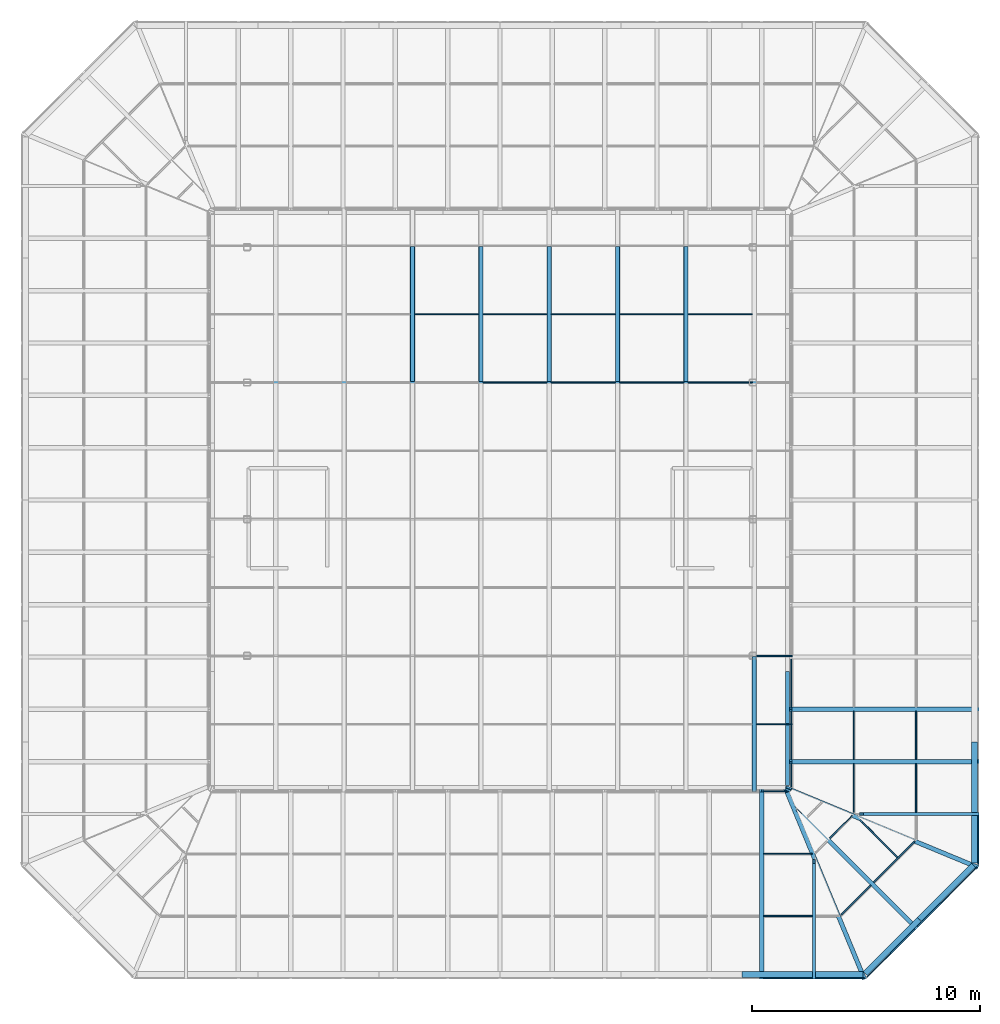
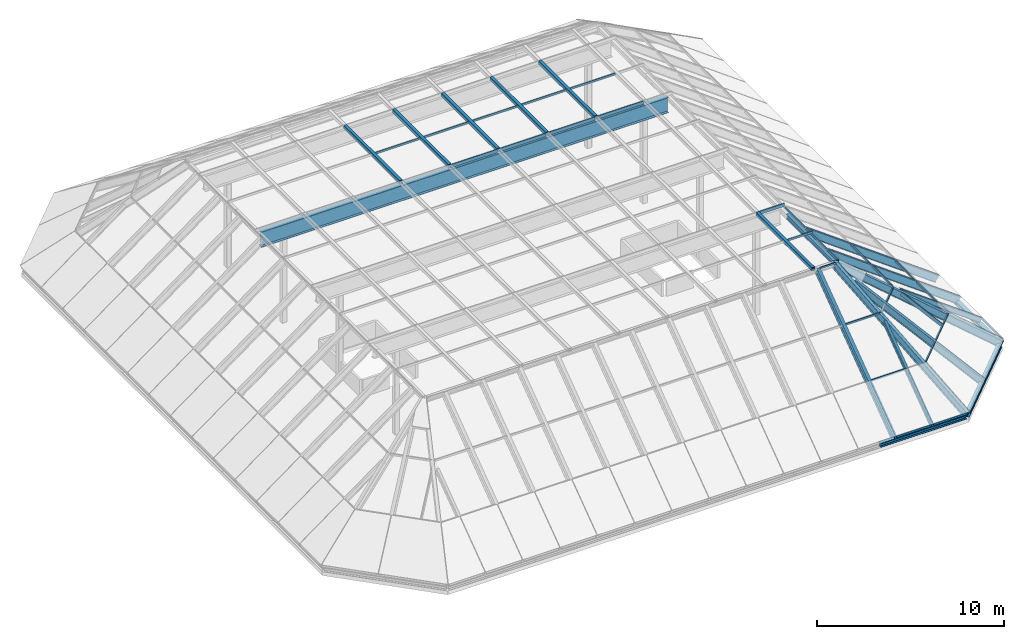
# One storey, part 6 of 15: 56 members, 4 elements without a shape of their own.
"""IFC4 building model written with IfcOpenShell, lengths in metres."""

import ifcopenshell
import ifcopenshell.guid

model = None  # the IFC model being written
_history = None  # IfcOwnerHistory: only IFC2X3 demands one
_inside = {}  # id of a spatial element -> (the spatial element, [elements in it])
_under = {}  # id of a project, library or spatial element -> (it, [spatial elements below it])
_declared = {}  # id of a project -> (the project, [libraries it declares])
_typed = {}  # id of a type object -> (the type object, [elements of that type])
_made_of = {}  # id of a material, layer set ... -> (it, [elements and type objects made of it])


def new_model(schema):
    """Start an empty IFC model of exactly this schema.

    Asked for "IFC4X3", IfcOpenShell would pick the latest addendum, in which some entities
    have other attributes; the version numbers below select the first issue.
    IFC2X3 requires an IfcOwnerHistory on every rooted entity: one is made here for all.
    """
    global model, _history
    if schema == "IFC4X3":
        model = ifcopenshell.file(schema_version=(4, 3, 0, 0))
    else:
        model = ifcopenshell.file(schema=schema)
    _inside.clear()
    _under.clear()
    _declared.clear()
    _typed.clear()
    _made_of.clear()
    _history = None
    if model.schema == "IFC2X3":
        org = make("IfcOrganization", Name="unknown")
        user = make(
            "IfcPersonAndOrganization",
            ThePerson=make("IfcPerson", FamilyName="unknown"),
            TheOrganization=org,
        )
        app = make(
            "IfcApplication",
            ApplicationDeveloper=org,
            Version="unknown",
            ApplicationFullName="unknown",
            ApplicationIdentifier="unknown",
        )
        _history = make(
            "IfcOwnerHistory",
            OwningUser=user,
            OwningApplication=app,
            ChangeAction="ADDED",
            CreationDate=0,
        )
    return model


def make(cls, **values):
    """One entity of the class cls with the attributes given. An attribute that is None is left unset."""
    return model.create_entity(
        cls, **{name: value for name, value in values.items() if value is not None}
    )


def rooted(cls, **values):
    """An entity with a GlobalId (a new one), such as an element, a storey or a relation."""
    return make(cls, GlobalId=ifcopenshell.guid.new(), OwnerHistory=_history, **values)


def si_unit(unit_type, name, prefix=None):
    """IfcSIUnit, for example si_unit("LENGTHUNIT", "METRE", prefix="MILLI")."""
    return make("IfcSIUnit", UnitType=unit_type, Prefix=prefix, Name=name)


def assignment(units):
    """IfcUnitAssignment: the units of a project."""
    return None if units is None else make("IfcUnitAssignment", Units=units)


def point(xyz):
    """IfcCartesianPoint."""
    return None if xyz is None else make("IfcCartesianPoint", Coordinates=xyz)


def direction(xyz):
    """IfcDirection."""
    return None if xyz is None else make("IfcDirection", DirectionRatios=xyz)


def frame(location, z_axis=None, x_axis=None):
    """IfcAxis2Placement3D, a coordinate frame: its origin and axes. An axis left out is left unset."""
    return make(
        "IfcAxis2Placement3D",
        Location=point(location),
        Axis=direction(z_axis),
        RefDirection=direction(x_axis),
    )


def frame_2d(location, x_axis=None):
    """IfcAxis2Placement2D, a coordinate frame in the plane: its origin and x axis."""
    return make(
        "IfcAxis2Placement2D", Location=point(location), RefDirection=direction(x_axis)
    )


def origin():
    """The frame at (0, 0, 0) with its axes left unset."""
    return frame((0.0, 0.0, 0.0))


def origin_2d():
    """The frame at (0, 0) in the plane with its x axis left unset."""
    return frame_2d((0.0, 0.0))


def place(relative_to, where):
    """IfcLocalPlacement: puts the frame where relative to a parent placement (None: the world)."""
    return make(
        "IfcLocalPlacement", PlacementRelTo=relative_to, RelativePlacement=where
    )


def context(
    kind, dimensions, precision=None, world=None, true_north=None, identifier=None
):
    """IfcGeometricRepresentationContext, for example the 3D "Model" context."""
    return make(
        "IfcGeometricRepresentationContext",
        ContextIdentifier=identifier,
        ContextType=kind,
        CoordinateSpaceDimension=dimensions,
        Precision=precision,
        WorldCoordinateSystem=world,
        TrueNorth=true_north,
    )


def subcontext(parent, identifier, kind, view, scale=None):
    """IfcGeometricRepresentationSubContext, for example "Body" below "Model"."""
    return make(
        "IfcGeometricRepresentationSubContext",
        ContextIdentifier=identifier,
        ContextType=kind,
        ParentContext=parent,
        TargetScale=scale,
        TargetView=view,
    )


def project(units=None, contexts=None):
    """IfcProject with its units and contexts."""
    return rooted(
        "IfcProject",
        Name="project",
        RepresentationContexts=contexts,
        UnitsInContext=assignment(units),
    )


def spatial(cls, under=None, at=None, **own):
    """A site, building, storey or space (cls), placed at a placement, below another one or the project."""
    s = rooted(cls, ObjectPlacement=at, **own)
    if under is not None:
        _under.setdefault(under.id(), (under, []))[1].append(s)
    return s


def profile(cls, at=None, kind="AREA", **sizes):
    """A parametric profile (cls). Its sizes go by their IFC names, for example OverallWidth=200.0."""
    return make(cls, ProfileType=kind, Position=at, **sizes)


def rectangle(**sizes):
    """IfcRectangleProfileDef."""
    return profile("IfcRectangleProfileDef", **sizes)


def hollow_rectangle(**sizes):
    """IfcRectangleHollowProfileDef."""
    return profile("IfcRectangleHollowProfileDef", **sizes)


def i_section(**sizes):
    """IfcIShapeProfileDef."""
    return profile("IfcIShapeProfileDef", **sizes)


def extrude(swept, where, along, depth):
    """IfcExtrudedAreaSolid: the profile swept, set in the frame where, extruded along a direction by depth."""
    return make(
        "IfcExtrudedAreaSolid",
        SweptArea=swept,
        Position=where,
        ExtrudedDirection=direction(along),
        Depth=depth,
    )


def shape(context_of_items, identifier, shape_type, items):
    """IfcShapeRepresentation: the items that make up one representation, for example the "Body"."""
    return make(
        "IfcShapeRepresentation",
        ContextOfItems=context_of_items,
        RepresentationIdentifier=identifier,
        RepresentationType=shape_type,
        Items=items,
    )


def material(Name=None, Category=None):
    """IfcMaterial."""
    return make("IfcMaterial", Name=Name, Category=Category)


def constituent(of_material, Name=None, Category=None, fraction=None):
    """IfcMaterialConstituent: one of the materials an element consists of."""
    return make(
        "IfcMaterialConstituent",
        Name=Name,
        Material=of_material,
        Fraction=fraction,
        Category=Category,
    )


def constituent_set(constituents=None, Name=None):
    """IfcMaterialConstituentSet."""
    return make(
        "IfcMaterialConstituentSet", Name=Name, MaterialConstituents=constituents
    )


def material_profile(
    of_material, cross_section, Name=None, Category=None, Priority=None
):
    """IfcMaterialProfile: a cross section and its material."""
    return make(
        "IfcMaterialProfile",
        Name=Name,
        Material=of_material,
        Profile=cross_section,
        Priority=Priority,
        Category=Category,
    )


def profile_set(profiles, Name=None, composite=None):
    """IfcMaterialProfileSet."""
    return make(
        "IfcMaterialProfileSet",
        Name=Name,
        MaterialProfiles=profiles,
        CompositeProfile=composite,
    )


def made_of(thing, what):
    """Note that an element or type object is made of a material, layer set ...; save() writes the relation."""
    if what is not None:
        _made_of.setdefault(what.id(), (what, []))[1].append(thing)
    return thing


def type_object(cls, material=None, **own):
    """A type object (cls), such as IfcWallType, which elements share."""
    return made_of(rooted(cls, **own), material)


def element(
    cls,
    number,
    at=None,
    inside=None,
    cuts=None,
    type_object=None,
    material=None,
    context=None,
    identifier="Body",
    shape_type=None,
    held_by="IfcProductDefinitionShape",
    body=None,
    shapes=None,
    **own,
):
    """One element of the class cls, such as IfcWall. Its Tag is "e" and its number.

    at: its placement. inside: the storey or other place that contains it. cuts: it is an
    opening in that element (IfcRelVoidsElement). A single representation is given by context,
    identifier, shape_type and body (its items); several are given by shapes. held_by: the class
    of the entity that holds the representations. save() writes the other relations.
    """
    e = rooted(cls, Tag="e%d" % number, ObjectPlacement=at, **own)
    if body is not None:
        shapes = [shape(context, identifier, shape_type, body)]
    if shapes is not None:
        e.Representation = make(held_by, Representations=shapes)
    if inside is not None:
        _inside.setdefault(inside.id(), (inside, []))[1].append(e)
    if cuts is not None:
        rooted(
            "IfcRelVoidsElement", RelatingBuildingElement=cuts, RelatedOpeningElement=e
        )
    if type_object is not None:
        _typed.setdefault(type_object.id(), (type_object, []))[1].append(e)
    return made_of(e, material)


def aggregate(whole, parts):
    """IfcRelAggregates: a whole, such as a stair, and the parts it consists of."""
    return rooted("IfcRelAggregates", RelatingObject=whole, RelatedObjects=parts)


def save(model, path):
    """Write the relations noted so far, then the file.

    IfcRelAggregates (storeys below a building ...), IfcRelContainedInSpatialStructure (elements
    in a storey), IfcRelDefinesByType, IfcRelAssociatesMaterial and IfcRelDeclares: one each for
    every whole, place, type object, material and project.
    """
    for whole, parts in _under.values():
        aggregate(whole, parts)
    for where, things in _inside.values():
        rooted(
            "IfcRelContainedInSpatialStructure",
            RelatedElements=things,
            RelatingStructure=where,
        )
    for kind, things in _typed.values():
        rooted("IfcRelDefinesByType", RelatedObjects=things, RelatingType=kind)
    for what, things in _made_of.values():
        rooted("IfcRelAssociatesMaterial", RelatedObjects=things, RelatingMaterial=what)
    for by, libraries in _declared.values():
        rooted("IfcRelDeclares", RelatingContext=by, RelatedDefinitions=libraries)
    model.write(path)


model = new_model("IFC4")

# Units and contexts
model_context = context("Model", 3, precision=1e-05, world=origin(), true_north=direction((0.0, 1.0)))
body_context = subcontext(model_context, "Body", "Model", "MODEL_VIEW")
ifc_project = project(units=[si_unit("LENGTHUNIT", "METRE"), si_unit("AREAUNIT", "SQUARE_METRE"), si_unit("VOLUMEUNIT", "CUBIC_METRE"), si_unit("PLANEANGLEUNIT", "RADIAN"), si_unit("MASSUNIT", "GRAM", prefix="KILO")], contexts=[model_context])

# Site, building, storey
site_placement = place(None, origin())
site = spatial("IfcSite", under=ifc_project, at=site_placement, CompositionType="ELEMENT")
building_placement = place(site_placement, origin())
building = spatial("IfcBuilding", under=site, at=building_placement, Name="Quoin Convention Tower", CompositionType="ELEMENT")
storey_placement = place(building_placement, frame((0.0, 0.0, 273.699951171875)))
storey = spatial("IfcBuildingStorey", under=building, at=storey_placement, Name="Roof", CompositionType="ELEMENT", Elevation=273.699951171875)

# Member
ifc_material_1 = material(Name="Steel Grade 300", Category="steel")
ifc_material_profile_1 = material_profile(ifc_material_1, i_section(OverallWidth=0.300048828125, OverallDepth=1.0, WebThickness=0.01611328125, FlangeThickness=0.02001953125, at=origin_2d()), Name="1000WB215")
ifc_profile_set_1 = profile_set([ifc_material_profile_1], Name="Steel Grade 300")
member_type_1 = type_object("IfcMemberType", Name="1000WB215 CAP GIRDER", PredefinedType="STRINGER", material=ifc_profile_set_1)
member_1_placement = place(storey_placement, frame((43.7099609375, 65.909912109375, 5.8955078125), z_axis=(1.0, 0.0, 0.0), x_axis=(0.0, 1.0, 0.0)))
element("IfcMember", 1, at=member_1_placement, inside=storey, type_object=member_type_1, Name="LANTERN CAP GIRDER", PredefinedType="STRINGER", context=body_context, shape_type="SweptSolid", body=[
    extrude(i_section(OverallWidth=0.300048828125, OverallDepth=1.0, WebThickness=0.01611328125, FlangeThickness=0.02001953125, at=origin_2d()), origin(), (0.0, 0.0, 1.0), 25.080078125),
])

# Curtain wall, members
ifc_material_2 = material(Name="Aluminium", Category="aluminium")
ifc_constituent_1 = constituent(ifc_material_2, Name="Frame")
ifc_material_3 = material(Name="Insulated glass", Category="glass")
ifc_constituent_2 = constituent(ifc_material_3, Name="Glazing")
ifc_constituent_set = constituent_set(constituents=[ifc_constituent_1, ifc_constituent_2], Name="Aluminium")
curtain_wall_type = type_object("IfcCurtainWallType", Name="Lantern roof system", PredefinedType="NOTDEFINED", material=ifc_constituent_set)
curtain_wall_1_placement = place(storey_placement, origin())
curtain_wall_1 = element("IfcCurtainWall", 2, at=curtain_wall_1_placement, inside=storey, type_object=curtain_wall_type, Name="crn-LNR-CAP", PredefinedType="NOTDEFINED")
ifc_material_4 = material(Name="Steel C450L0", Category="steel")
ifc_material_profile_2 = material_profile(ifc_material_4, hollow_rectangle(XDim=0.199951171875, YDim=0.199951171875, WallThickness=0.010009765625, InnerFilletRadius=0.014892578125, OuterFilletRadius=0.02490234375, at=origin_2d()), Name="200x200x10.0SHS")
ifc_profile_set_2 = profile_set([ifc_material_profile_2], Name="Steel C450L0")
member_type_2 = type_object("IfcMemberType", Name="200x200x10.0SHS LANTERN CAP RAIL", PredefinedType="MULLION", material=ifc_profile_set_2)
member_2_placement = place(storey_placement, frame((52.409912109375, 65.93994140625, 6.495361328125), z_axis=(0.0, 1.0, 0.0), x_axis=(-1.0, 0.0, 0.0)))
member_2 = element("IfcMember", 3, at=member_2_placement, type_object=member_type_2, Name="CW6 cap rail", PredefinedType="MULLION", context=body_context, shape_type="SweptSolid", body=[
    extrude(hollow_rectangle(XDim=0.199951171875, YDim=0.199951171875, WallThickness=0.010009765625, InnerFilletRadius=0.014892578125, OuterFilletRadius=0.02490234375, at=origin_2d()), origin(), (0.0, 0.0, 1.0), 5.93994140625),
])
member_3_placement = place(storey_placement, frame((55.409912109375, 65.93994140625, 6.495361328125), z_axis=(0.0, 1.0, 0.0), x_axis=(-1.0, 0.0, 0.0)))
member_3 = element("IfcMember", 4, at=member_3_placement, type_object=member_type_2, Name="CW6 cap rail", PredefinedType="MULLION", context=body_context, shape_type="SweptSolid", body=[
    extrude(hollow_rectangle(XDim=0.199951171875, YDim=0.199951171875, WallThickness=0.010009765625, InnerFilletRadius=0.014892578125, OuterFilletRadius=0.02490234375, at=origin_2d()), origin(), (0.0, 0.0, 1.0), 5.93994140625),
])
member_4_placement = place(storey_placement, frame((58.409912109375, 65.93994140625, 6.495361328125), z_axis=(0.0, 1.0, 0.0), x_axis=(-1.0, 0.0, 0.0)))
member_4 = element("IfcMember", 5, at=member_4_placement, type_object=member_type_2, Name="CW6 cap rail", PredefinedType="MULLION", context=body_context, shape_type="SweptSolid", body=[
    extrude(hollow_rectangle(XDim=0.199951171875, YDim=0.199951171875, WallThickness=0.010009765625, InnerFilletRadius=0.014892578125, OuterFilletRadius=0.02490234375, at=origin_2d()), origin(), (0.0, 0.0, 1.0), 5.93994140625),
])
member_5_placement = place(storey_placement, frame((61.409912109375, 65.93994140625, 6.495361328125), z_axis=(0.0, 1.0, 0.0), x_axis=(-1.0, 0.0, 0.0)))
member_5 = element("IfcMember", 6, at=member_5_placement, type_object=member_type_2, Name="CW6 cap rail", PredefinedType="MULLION", context=body_context, shape_type="SweptSolid", body=[
    extrude(hollow_rectangle(XDim=0.199951171875, YDim=0.199951171875, WallThickness=0.010009765625, InnerFilletRadius=0.014892578125, OuterFilletRadius=0.02490234375, at=origin_2d()), origin(), (0.0, 0.0, 1.0), 5.93994140625),
])
member_6_placement = place(storey_placement, frame((64.409912109375, 65.93994140625, 6.495361328125), z_axis=(0.0, 1.0, 0.0), x_axis=(-1.0, 0.0, 0.0)))
member_6 = element("IfcMember", 7, at=member_6_placement, type_object=member_type_2, Name="CW6 cap rail", PredefinedType="MULLION", context=body_context, shape_type="SweptSolid", body=[
    extrude(hollow_rectangle(XDim=0.199951171875, YDim=0.199951171875, WallThickness=0.010009765625, InnerFilletRadius=0.014892578125, OuterFilletRadius=0.02490234375, at=origin_2d()), origin(), (0.0, 0.0, 1.0), 5.93994140625),
])
member_7_placement = place(storey_placement, frame((67.409912109375, 47.926513671875, 6.495361328125), z_axis=(0.0, 1.0, 0.0), x_axis=(-1.0, 0.0, 0.0)))
member_7 = element("IfcMember", 8, at=member_7_placement, type_object=member_type_2, Name="CW6 cap rail", PredefinedType="MULLION", context=body_context, shape_type="SweptSolid", body=[
    extrude(hollow_rectangle(XDim=0.199951171875, YDim=0.199951171875, WallThickness=0.010009765625, InnerFilletRadius=0.014892578125, OuterFilletRadius=0.02490234375, at=origin_2d()), origin(), (0.0, 0.0, 1.0), 5.953369140625),
])

# Members
ifc_material_profile_3 = material_profile(ifc_material_1, i_section(OverallWidth=0.256103515625, OverallDepth=0.260009765625, WebThickness=0.010498046875, FlangeThickness=0.017333984375, FilletRadius=0.013916015625, at=origin_2d()), Name="250UC89.5")
ifc_profile_set_3 = profile_set([ifc_material_profile_3], Name="Steel Grade 300")
member_type_3 = type_object("IfcMemberType", Name="250UC89.5 EAVES RING", PredefinedType="CHORD", material=ifc_profile_set_3)
for number, where, z_axis, x_axis, name in (
    (9, (72.2744140625, 39.965576171875, 0.130126953125), (0.707143047722, 0.707070512791, 0.0), (-0.707070512791, 0.707143047722, 0.0), "LANTERN EAVES RING"),
    (10, (74.654541015625, 42.345458984375, 0.130126953125), (0.707070512791, 0.707143047722, 0.0), (-0.707143047722, 0.707070512791, 0.0), "LANTERN EAVES RING"),
):
    element("IfcMember", number, at=place(storey_placement, frame(where, z_axis=z_axis, x_axis=x_axis)), inside=storey, type_object=member_type_3, Name=name, PredefinedType="CHORD", context=body_context, shape_type="SweptSolid", body=[
        extrude(i_section(OverallWidth=0.256103515625, OverallDepth=0.260009765625, WebThickness=0.010498046875, FlangeThickness=0.017333984375, FilletRadius=0.013916015625, at=origin_2d()), origin(), (0.0, 0.0, 1.0), 3.36572265625),
    ])
for number, where, z_axis, x_axis, name in (
    (11, (77.072021484375, 44.816162109375, 0.130126953125), (0.0, 1.0, 0.0), (-1.0, 0.0, 0.0), "LANTERN EAVES RING"),
    (12, (66.87255859375, 39.927978515625, 0.130126953125), (1.0, 0.0, 0.0), (0.0, 1.0, 0.0), "LANTERN EAVES RING"),
):
    element("IfcMember", number, at=place(storey_placement, frame(where, z_axis=z_axis, x_axis=x_axis)), inside=storey, type_object=member_type_3, Name=name, PredefinedType="CHORD", context=body_context, shape_type="SweptSolid", body=[
        extrude(i_section(OverallWidth=0.256103515625, OverallDepth=0.260009765625, WebThickness=0.010498046875, FlangeThickness=0.017333984375, FilletRadius=0.013916015625, at=origin_2d()), origin(), (0.0, 0.0, 1.0), 5.311279296875),
    ])

# Curtain wall, member
curtain_wall_2_placement = place(storey_placement, origin())
curtain_wall_2 = element("IfcCurtainWall", 13, at=curtain_wall_2_placement, inside=storey, type_object=curtain_wall_type, Name="crn-LNR-F77290_44673", PredefinedType="NOTDEFINED")
ifc_material_profile_4 = material_profile(ifc_material_1, i_section(OverallWidth=0.14892578125, OverallDepth=0.298095703125, WebThickness=0.005615234375, FlangeThickness=0.008056640625, FilletRadius=0.012939453125, at=origin_2d()), Name="310UB32.0")
ifc_profile_set_4 = profile_set([ifc_material_profile_4], Name="Steel Grade 300")
member_type_4 = type_object("IfcMemberType", Name="310UB32.0 LANTERN RAFTER", PredefinedType="MULLION", material=ifc_profile_set_4)
member_8_placement = place(storey_placement, frame((77.185546875, 46.969482421875, 0.332763671875), z_axis=(-0.807036644886, 0.0, 0.590501358009), x_axis=(0.0, -1.0, 0.0)))
member_8 = element("IfcMember", 14, at=member_8_placement, type_object=member_type_4, Name="CW6 steel rafter", PredefinedType="MULLION", context=body_context, shape_type="SweptSolid", body=[
    extrude(i_section(OverallWidth=0.14892578125, OverallDepth=0.298095703125, WebThickness=0.005615234375, FlangeThickness=0.008056640625, FilletRadius=0.012939453125, at=origin_2d()), origin(), (0.0, 0.0, 1.0), 6.286865234375),
])

curtain_wall_3_placement = place(storey_placement, origin())
curtain_wall_3 = element("IfcCurtainWall", 15, at=curtain_wall_3_placement, inside=storey, type_object=curtain_wall_type, Name="crn-LNR-F40173_39710", PredefinedType="NOTDEFINED")
member_9_placement = place(storey_placement, frame((70.030517578125, 39.814453125, 0.332763671875), z_axis=(0.0, 0.807036644886, 0.590501358009), x_axis=(-1.0, 0.0, 0.0)))
member_9 = element("IfcMember", 16, at=member_9_placement, type_object=member_type_4, Name="CW6 steel rafter", PredefinedType="MULLION", context=body_context, shape_type="SweptSolid", body=[
    extrude(i_section(OverallWidth=0.14892578125, OverallDepth=0.298095703125, WebThickness=0.005615234375, FlangeThickness=0.008056640625, FilletRadius=0.012939453125, at=origin_2d()), origin(), (0.0, 0.0, 1.0), 6.286865234375),
])

# Members
ifc_material_profile_5 = material_profile(ifc_material_1, i_section(OverallWidth=0.166015625, OverallDepth=0.306884765625, WebThickness=0.006591796875, FlangeThickness=0.01171875, FilletRadius=0.011474609375, at=origin_2d()), Name="310UB46.2")
ifc_profile_set_5 = profile_set([ifc_material_profile_5], Name="Steel Grade 300")
member_type_5 = type_object("IfcMemberType", Name="310UB46.2 COMPRESSION RING", PredefinedType="CHORD", material=ifc_profile_set_5)
member_10_placement = place(storey_placement, frame((68.873046875, 48.2099609375, 6.241943359375), z_axis=(0.0, 1.0, 0.0), x_axis=(-1.0, 0.0, 0.0)))
element("IfcMember", 17, at=member_10_placement, inside=storey, type_object=member_type_5, Name="LANTERN COMPRESSION RING", PredefinedType="CHORD", context=body_context, shape_type="SweptSolid", body=[
    extrude(i_section(OverallWidth=0.166015625, OverallDepth=0.306884765625, WebThickness=0.006591796875, FlangeThickness=0.01171875, FilletRadius=0.011474609375, at=origin_2d()), origin(), (0.0, 0.0, 1.0), 5.01611328125),
])
ifc_material_profile_6 = material_profile(ifc_material_1, i_section(OverallWidth=0.18994140625, OverallDepth=0.4541015625, WebThickness=0.008544921875, FlangeThickness=0.0126953125, FilletRadius=0.011474609375, at=origin_2d()), Name="460UB67.1")
ifc_profile_set_6 = profile_set([ifc_material_profile_6], Name="Steel Grade 300")
member_type_6 = type_object("IfcMemberType", Name="460UB67.1 LANTERN HIP RAFTER", PredefinedType="RAFTER", material=ifc_profile_set_6)
for number, where, z_axis, x_axis, name in (
    (18, (72.199951171875, 39.83740234375, 0.229248046875), (-0.317054171085, 0.765391967529, 0.560046237949), (-0.923871663902, -0.382702428316, 0.0), "CW6 steel hip rafter"),
    (19, (77.10986328125, 44.6728515625, 0.229248046875), (-0.765397497452, 0.317033673283, 0.560050284259), (-0.382678949804, -0.923881389236, 0.0), "CW6 steel hip rafter"),
):
    element("IfcMember", number, at=place(storey_placement, frame(where, z_axis=z_axis, x_axis=x_axis)), inside=storey, type_object=member_type_6, Name=name, PredefinedType="RAFTER", context=body_context, shape_type="SweptSolid", body=[
        extrude(i_section(OverallWidth=0.18994140625, OverallDepth=0.4541015625, WebThickness=0.008544921875, FlangeThickness=0.0126953125, FilletRadius=0.011474609375, at=origin_2d()), origin(), (0.0, 0.0, 1.0), 10.71337890625),
    ])

# Curtain wall, member
curtain_wall_4_placement = place(storey_placement, origin())
curtain_wall_4 = element("IfcCurtainWall", 20, at=curtain_wall_4_placement, inside=storey, type_object=curtain_wall_type, Name="crn-LNR-F72327_39710", PredefinedType="NOTDEFINED")
ifc_material_profile_7 = material_profile(ifc_material_1, i_section(OverallWidth=0.18994140625, OverallDepth=0.4541015625, WebThickness=0.008544921875, FlangeThickness=0.0126953125, FilletRadius=0.011474609375, at=origin_2d()), Name="460UB67.1")
ifc_profile_set_7 = profile_set([ifc_material_profile_7], Name="Steel Grade 300")
member_type_7 = type_object("IfcMemberType", Name="460UB67.1 LANTERN RAFTER", PredefinedType="MULLION", material=ifc_profile_set_7)
member_11_placement = place(storey_placement, frame((74.447998046875, 42.0439453125, 0.26953125), z_axis=(-0.570654798097, 0.570654798097, 0.590513507735), x_axis=(-0.707106781187, -0.707106781187, 0.0)))
member_11 = element("IfcMember", 21, at=member_11_placement, type_object=member_type_7, Name="CW6 steel rafter", PredefinedType="MULLION", context=body_context, shape_type="SweptSolid", body=[
    extrude(i_section(OverallWidth=0.18994140625, OverallDepth=0.4541015625, WebThickness=0.008544921875, FlangeThickness=0.0126953125, FilletRadius=0.011474609375, at=origin_2d()), origin(), (0.0, 0.0, 1.0), 8.83935546875),
])

# Member
member_12_placement = place(storey_placement, frame((77.139404296875, 49.266357421875, 0.26953125), z_axis=(-0.807028649932, 0.0, 0.590512284537), x_axis=(0.0, -1.0, 0.0)))
member_12 = element("IfcMember", 22, at=member_12_placement, type_object=member_type_7, Name="CW6 steel rafter", PredefinedType="MULLION", context=body_context, shape_type="SweptSolid", body=[
    extrude(i_section(OverallWidth=0.18994140625, OverallDepth=0.4541015625, WebThickness=0.008544921875, FlangeThickness=0.0126953125, FilletRadius=0.011474609375, at=origin_2d()), origin(), (0.0, 0.0, 1.0), 10.16064453125),
])

member_13_placement = place(storey_placement, frame((77.139404296875, 51.56298828125, 0.26953125), z_axis=(-0.807028649932, 0.0, 0.590512284537), x_axis=(0.0, -1.0, 0.0)))
member_13 = element("IfcMember", 23, at=member_13_placement, type_object=member_type_7, Name="CW6 steel rafter", PredefinedType="MULLION", context=body_context, shape_type="SweptSolid", body=[
    extrude(i_section(OverallWidth=0.18994140625, OverallDepth=0.4541015625, WebThickness=0.008544921875, FlangeThickness=0.0126953125, FilletRadius=0.011474609375, at=origin_2d()), origin(), (0.0, 0.0, 1.0), 10.16064453125),
])

member_14_placement = place(storey_placement, frame((67.733642578125, 39.860595703125, 0.26953125), z_axis=(0.0, 0.807028649932, 0.590512284537), x_axis=(-1.0, 0.0, 0.0)))
member_14 = element("IfcMember", 24, at=member_14_placement, type_object=member_type_7, Name="CW6 steel rafter", PredefinedType="MULLION", context=body_context, shape_type="SweptSolid", body=[
    extrude(i_section(OverallWidth=0.18994140625, OverallDepth=0.4541015625, WebThickness=0.008544921875, FlangeThickness=0.0126953125, FilletRadius=0.011474609375, at=origin_2d()), origin(), (0.0, 0.0, 1.0), 10.16064453125),
])

ifc_material_profile_8 = material_profile(ifc_material_2, rectangle(XDim=0.028076171875, YDim=0.179931640625, at=origin_2d()), Name="Lantern roof cap cover bar 180x28")
ifc_profile_set_8 = profile_set([ifc_material_profile_8], Name="Aluminium")
member_type_8 = type_object("IfcMemberType", Name="Lantern roof cap cover bar 180x28", PredefinedType="USERDEFINED", material=ifc_profile_set_8)
member_15_placement = place(storey_placement, frame((52.409912109375, 65.93994140625, 6.609375), z_axis=(0.0, 1.0, 0.0), x_axis=(0.0, 0.0, 1.0)))
member_15 = element("IfcMember", 25, at=member_15_placement, type_object=member_type_8, Name="CW6 cap cover bar", ObjectType="CAP COVER", PredefinedType="USERDEFINED", context=body_context, shape_type="SweptSolid", body=[
    extrude(rectangle(XDim=0.028076171875, YDim=0.179931640625, at=origin_2d()), origin(), (0.0, 0.0, 1.0), 5.93994140625),
])

member_16_placement = place(storey_placement, frame((55.409912109375, 65.93994140625, 6.609375), z_axis=(0.0, 1.0, 0.0), x_axis=(0.0, 0.0, 1.0)))
member_16 = element("IfcMember", 26, at=member_16_placement, type_object=member_type_8, Name="CW6 cap cover bar", ObjectType="CAP COVER", PredefinedType="USERDEFINED", context=body_context, shape_type="SweptSolid", body=[
    extrude(rectangle(XDim=0.028076171875, YDim=0.179931640625, at=origin_2d()), origin(), (0.0, 0.0, 1.0), 5.93994140625),
])

member_17_placement = place(storey_placement, frame((58.409912109375, 65.93994140625, 6.609375), z_axis=(0.0, 1.0, 0.0), x_axis=(0.0, 0.0, 1.0)))
member_17 = element("IfcMember", 27, at=member_17_placement, type_object=member_type_8, Name="CW6 cap cover bar", ObjectType="CAP COVER", PredefinedType="USERDEFINED", context=body_context, shape_type="SweptSolid", body=[
    extrude(rectangle(XDim=0.028076171875, YDim=0.179931640625, at=origin_2d()), origin(), (0.0, 0.0, 1.0), 5.93994140625),
])

member_18_placement = place(storey_placement, frame((61.409912109375, 65.93994140625, 6.609375), z_axis=(0.0, 1.0, 0.0), x_axis=(0.0, 0.0, 1.0)))
member_18 = element("IfcMember", 28, at=member_18_placement, type_object=member_type_8, Name="CW6 cap cover bar", ObjectType="CAP COVER", PredefinedType="USERDEFINED", context=body_context, shape_type="SweptSolid", body=[
    extrude(rectangle(XDim=0.028076171875, YDim=0.179931640625, at=origin_2d()), origin(), (0.0, 0.0, 1.0), 5.93994140625),
])

member_19_placement = place(storey_placement, frame((64.409912109375, 65.93994140625, 6.609375), z_axis=(0.0, 1.0, 0.0), x_axis=(0.0, 0.0, 1.0)))
member_19 = element("IfcMember", 29, at=member_19_placement, type_object=member_type_8, Name="CW6 cap cover bar", ObjectType="CAP COVER", PredefinedType="USERDEFINED", context=body_context, shape_type="SweptSolid", body=[
    extrude(rectangle(XDim=0.028076171875, YDim=0.179931640625, at=origin_2d()), origin(), (0.0, 0.0, 1.0), 5.93994140625),
])

member_20_placement = place(storey_placement, frame((67.409912109375, 47.926513671875, 6.609375), z_axis=(0.0, 1.0, 0.0), x_axis=(0.0, 0.0, 1.0)))
member_20 = element("IfcMember", 30, at=member_20_placement, type_object=member_type_8, Name="CW6 cap cover bar", ObjectType="CAP COVER", PredefinedType="USERDEFINED", context=body_context, shape_type="SweptSolid", body=[
    extrude(rectangle(XDim=0.028076171875, YDim=0.179931640625, at=origin_2d()), origin(), (0.0, 0.0, 1.0), 5.953369140625),
])

ifc_material_profile_9 = material_profile(ifc_material_2, rectangle(XDim=0.199951171875, YDim=0.06005859375, at=origin_2d()), Name="Lantern roof mullion 60x200")
ifc_profile_set_9 = profile_set([ifc_material_profile_9], Name="Aluminium")
member_type_9 = type_object("IfcMemberType", Name="Lantern roof mullion 60x200", PredefinedType="MULLION", material=ifc_profile_set_9)
member_21_placement = place(storey_placement, frame((73.70263671875, 45.057861328125, 2.3720703125), z_axis=(-0.570655053793, 0.570655053793, 0.590513013541), x_axis=(0.417555756253, -0.417555756253, 0.807028116511)))
member_21 = element("IfcMember", 31, at=member_21_placement, type_object=member_type_9, Name="CW6 jack rafter", PredefinedType="MULLION", context=body_context, shape_type="SweptSolid", body=[
    extrude(rectangle(XDim=0.199951171875, YDim=0.06005859375, at=origin_2d()), origin(), (0.0, 0.0, 1.0), 2.80322265625),
])

member_22_placement = place(storey_placement, frame((67.510009765625, 53.909912109375, 6.495361328125), z_axis=(1.0, 0.0, 0.0), x_axis=(0.0, 0.0, 1.0)))
member_22 = element("IfcMember", 32, at=member_22_placement, type_object=member_type_9, Name="CW6 cap beam", PredefinedType="MULLION", context=body_context, shape_type="SweptSolid", body=[
    extrude(rectangle(XDim=0.199951171875, YDim=0.06005859375, at=origin_2d()), origin(), (0.0, 0.0, 1.0), 1.5634765625),
])

member_23_placement = place(storey_placement, frame((55.510009765625, 65.909912109375, 6.495361328125), z_axis=(1.0, 0.0, 0.0), x_axis=(0.0, 0.0, 1.0)))
member_23 = element("IfcMember", 33, at=member_23_placement, type_object=member_type_9, Name="CW6 cap beam", PredefinedType="MULLION", context=body_context, shape_type="SweptSolid", body=[
    extrude(rectangle(XDim=0.199951171875, YDim=0.06005859375, at=origin_2d()), origin(), (0.0, 0.0, 1.0), 2.800048828125),
])

member_24_placement = place(storey_placement, frame((58.510009765625, 65.909912109375, 6.495361328125), z_axis=(1.0, 0.0, 0.0), x_axis=(0.0, 0.0, 1.0)))
member_24 = element("IfcMember", 34, at=member_24_placement, type_object=member_type_9, Name="CW6 cap beam", PredefinedType="MULLION", context=body_context, shape_type="SweptSolid", body=[
    extrude(rectangle(XDim=0.199951171875, YDim=0.06005859375, at=origin_2d()), origin(), (0.0, 0.0, 1.0), 2.800048828125),
])

member_25_placement = place(storey_placement, frame((61.510009765625, 65.909912109375, 6.495361328125), z_axis=(1.0, 0.0, 0.0), x_axis=(0.0, 0.0, 1.0)))
member_25 = element("IfcMember", 35, at=member_25_placement, type_object=member_type_9, Name="CW6 cap beam", PredefinedType="MULLION", context=body_context, shape_type="SweptSolid", body=[
    extrude(rectangle(XDim=0.199951171875, YDim=0.06005859375, at=origin_2d()), origin(), (0.0, 0.0, 1.0), 2.800048828125),
])

member_26_placement = place(storey_placement, frame((64.510009765625, 65.909912109375, 6.495361328125), z_axis=(1.0, 0.0, 0.0), x_axis=(0.0, 0.0, 1.0)))
member_26 = element("IfcMember", 36, at=member_26_placement, type_object=member_type_9, Name="CW6 cap beam", PredefinedType="MULLION", context=body_context, shape_type="SweptSolid", body=[
    extrude(rectangle(XDim=0.199951171875, YDim=0.06005859375, at=origin_2d()), origin(), (0.0, 0.0, 1.0), 2.800048828125),
])

ifc_material_profile_10 = material_profile(ifc_material_2, rectangle(XDim=0.1201171875, YDim=0.050048828125, at=origin_2d()), Name="Lantern roof transom 50x120")
ifc_profile_set_10 = profile_set([ifc_material_profile_10], Name="Aluminium")
member_type_10 = type_object("IfcMemberType", Name="Lantern roof transom 50x120", PredefinedType="USERDEFINED", material=ifc_profile_set_10)
member_27_placement = place(storey_placement, frame((72.361328125, 39.817626953125, 0.404541015625), z_axis=(0.707106781187, 0.707106781187, 0.0), x_axis=(0.0, 0.0, 1.0)))
member_27 = element("IfcMember", 37, at=member_27_placement, type_object=member_type_10, Name="CW6 transom", ObjectType="TRANSOM", PredefinedType="USERDEFINED", context=body_context, shape_type="SweptSolid", body=[
    extrude(rectangle(XDim=0.1201171875, YDim=0.050048828125, at=origin_2d()), origin(), (0.0, 0.0, 1.0), 2.954833984375),
])

member_28_placement = place(storey_placement, frame((74.5849609375, 42.041259765625, 0.404541015625), z_axis=(0.707106781187, 0.707106781187, 0.0), x_axis=(0.0, 0.0, 1.0)))
member_28 = element("IfcMember", 38, at=member_28_placement, type_object=member_type_10, Name="CW6 transom", ObjectType="TRANSOM", PredefinedType="USERDEFINED", context=body_context, shape_type="SweptSolid", body=[
    extrude(rectangle(XDim=0.1201171875, YDim=0.050048828125, at=origin_2d()), origin(), (0.0, 0.0, 1.0), 3.67333984375),
])

member_29_placement = place(storey_placement, frame((71.22900390625, 42.55078125, 2.404541015625), z_axis=(0.707106781187, 0.707106781187, 0.0), x_axis=(0.0, 0.0, 1.0)))
member_29 = element("IfcMember", 39, at=member_29_placement, type_object=member_type_10, Name="CW6 transom", ObjectType="TRANSOM", PredefinedType="USERDEFINED", context=body_context, shape_type="SweptSolid", body=[
    extrude(rectangle(XDim=0.1201171875, YDim=0.050048828125, at=origin_2d()), origin(), (0.0, 0.0, 1.0), 1.82275390625),
])

member_30_placement = place(storey_placement, frame((72.65234375, 43.97412109375, 2.404541015625), z_axis=(0.707106781187, 0.707106781187, 0.0), x_axis=(0.0, 0.0, 1.0)))
member_30 = element("IfcMember", 40, at=member_30_placement, type_object=member_type_10, Name="CW6 transom", ObjectType="TRANSOM", PredefinedType="USERDEFINED", context=body_context, shape_type="SweptSolid", body=[
    extrude(rectangle(XDim=0.1201171875, YDim=0.050048828125, at=origin_2d()), origin(), (0.0, 0.0, 1.0), 2.541259765625),
])

member_31_placement = place(storey_placement, frame((70.719482421875, 45.90673828125, 4.404541015625), z_axis=(0.707106781187, 0.707106781187, 0.0), x_axis=(0.0, 0.0, 1.0)))
member_31 = element("IfcMember", 41, at=member_31_placement, type_object=member_type_10, Name="CW6 transom", ObjectType="TRANSOM", PredefinedType="USERDEFINED", context=body_context, shape_type="SweptSolid", body=[
    extrude(rectangle(XDim=0.1201171875, YDim=0.050048828125, at=origin_2d()), origin(), (0.0, 0.0, 1.0), 1.408935546875),
])

aggregate(curtain_wall_4, [member_11, member_27, member_28, member_29, member_30, member_31, member_21])

member_32_placement = place(storey_placement, frame((77.238037109375, 44.77294921875, 0.404541015625), z_axis=(0.0, 1.0, 0.0), x_axis=(0.0, 0.0, 1.0)))
member_32 = element("IfcMember", 42, at=member_32_placement, type_object=member_type_10, Name="CW6 transom", ObjectType="TRANSOM", PredefinedType="USERDEFINED", context=body_context, shape_type="SweptSolid", body=[
    extrude(rectangle(XDim=0.1201171875, YDim=0.050048828125, at=origin_2d()), origin(), (0.0, 0.0, 1.0), 2.1220703125),
])

member_33_placement = place(storey_placement, frame((74.504638671875, 47.0439453125, 2.404541015625), z_axis=(0.0, 1.0, 0.0), x_axis=(0.0, 0.0, 1.0)))
member_33 = element("IfcMember", 43, at=member_33_placement, type_object=member_type_10, Name="CW6 transom", ObjectType="TRANSOM", PredefinedType="USERDEFINED", context=body_context, shape_type="SweptSolid", body=[
    extrude(rectangle(XDim=0.1201171875, YDim=0.050048828125, at=origin_2d()), origin(), (0.0, 0.0, 1.0), 2.12744140625),
])

member_34_placement = place(storey_placement, frame((74.504638671875, 49.361328125, 2.404541015625), z_axis=(0.0, 1.0, 0.0), x_axis=(0.0, 0.0, 1.0)))
member_34 = element("IfcMember", 44, at=member_34_placement, type_object=member_type_10, Name="CW6 transom", ObjectType="TRANSOM", PredefinedType="USERDEFINED", context=body_context, shape_type="SweptSolid", body=[
    extrude(rectangle(XDim=0.1201171875, YDim=0.050048828125, at=origin_2d()), origin(), (0.0, 0.0, 1.0), 2.106689453125),
])

member_35_placement = place(storey_placement, frame((71.771484375, 47.037353515625, 4.404541015625), z_axis=(0.0, 1.0, 0.0), x_axis=(0.0, 0.0, 1.0)))
member_35 = element("IfcMember", 45, at=member_35_placement, type_object=member_type_10, Name="CW6 transom", ObjectType="TRANSOM", PredefinedType="USERDEFINED", context=body_context, shape_type="SweptSolid", body=[
    extrude(rectangle(XDim=0.1201171875, YDim=0.050048828125, at=origin_2d()), origin(), (0.0, 0.0, 1.0), 2.134033203125),
])

member_36_placement = place(storey_placement, frame((71.771484375, 49.361328125, 4.404541015625), z_axis=(0.0, 1.0, 0.0), x_axis=(0.0, 0.0, 1.0)))
member_36 = element("IfcMember", 46, at=member_36_placement, type_object=member_type_10, Name="CW6 transom", ObjectType="TRANSOM", PredefinedType="USERDEFINED", context=body_context, shape_type="SweptSolid", body=[
    extrude(rectangle(XDim=0.1201171875, YDim=0.050048828125, at=origin_2d()), origin(), (0.0, 0.0, 1.0), 2.106689453125),
])

member_37_placement = place(storey_placement, frame((69.0380859375, 48.16943359375, 6.404541015625), z_axis=(0.0, 1.0, 0.0), x_axis=(0.0, 0.0, 1.0)))
member_37 = element("IfcMember", 47, at=member_37_placement, type_object=member_type_10, Name="CW6 transom", ObjectType="TRANSOM", PredefinedType="USERDEFINED", context=body_context, shape_type="SweptSolid", body=[
    extrude(rectangle(XDim=0.1201171875, YDim=0.050048828125, at=origin_2d()), origin(), (0.0, 0.0, 1.0), 1.001953125),
])

member_38_placement = place(storey_placement, frame((69.0380859375, 49.361328125, 6.404541015625), z_axis=(0.0, 1.0, 0.0), x_axis=(0.0, 0.0, 1.0)))
member_38 = element("IfcMember", 48, at=member_38_placement, type_object=member_type_10, Name="CW6 transom", ObjectType="TRANSOM", PredefinedType="USERDEFINED", context=body_context, shape_type="SweptSolid", body=[
    extrude(rectangle(XDim=0.1201171875, YDim=0.050048828125, at=origin_2d()), origin(), (0.0, 0.0, 1.0), 2.106689453125),
])

member_39_placement = place(storey_placement, frame((69.0380859375, 51.657958984375, 6.404541015625), z_axis=(0.0, 1.0, 0.0), x_axis=(0.0, 0.0, 1.0)))
member_39 = element("IfcMember", 49, at=member_39_placement, type_object=member_type_10, Name="CW6 transom", ObjectType="TRANSOM", PredefinedType="USERDEFINED", context=body_context, shape_type="SweptSolid", body=[
    extrude(rectangle(XDim=0.1201171875, YDim=0.050048828125, at=origin_2d()), origin(), (0.0, 0.0, 1.0), 2.10693359375),
])

aggregate(curtain_wall_2, [member_8, member_12, member_13, member_32, member_33, member_34, member_35, member_36, member_37, member_38, member_39])

member_40_placement = place(storey_placement, frame((67.82861328125, 39.761962890625, 0.404541015625), z_axis=(1.0, 0.0, 0.0), x_axis=(0.0, 0.0, 1.0)))
member_40 = element("IfcMember", 50, at=member_40_placement, type_object=member_type_10, Name="CW6 transom", ObjectType="TRANSOM", PredefinedType="USERDEFINED", context=body_context, shape_type="SweptSolid", body=[
    extrude(rectangle(XDim=0.1201171875, YDim=0.050048828125, at=origin_2d()), origin(), (0.0, 0.0, 1.0), 2.12744140625),
])

member_41_placement = place(storey_placement, frame((70.10498046875, 39.761962890625, 0.404541015625), z_axis=(1.0, 0.0, 0.0), x_axis=(0.0, 0.0, 1.0)))
member_41 = element("IfcMember", 51, at=member_41_placement, type_object=member_type_10, Name="CW6 transom", ObjectType="TRANSOM", PredefinedType="USERDEFINED", context=body_context, shape_type="SweptSolid", body=[
    extrude(rectangle(XDim=0.1201171875, YDim=0.050048828125, at=origin_2d()), origin(), (0.0, 0.0, 1.0), 2.1220703125),
])

member_42_placement = place(storey_placement, frame((67.82861328125, 42.495361328125, 2.404541015625), z_axis=(1.0, 0.0, 0.0), x_axis=(0.0, 0.0, 1.0)))
member_42 = element("IfcMember", 52, at=member_42_placement, type_object=member_type_10, Name="CW6 transom", ObjectType="TRANSOM", PredefinedType="USERDEFINED", context=body_context, shape_type="SweptSolid", body=[
    extrude(rectangle(XDim=0.1201171875, YDim=0.050048828125, at=origin_2d()), origin(), (0.0, 0.0, 1.0), 2.12744140625),
])

member_43_placement = place(storey_placement, frame((67.82861328125, 45.228515625, 4.404541015625), z_axis=(1.0, 0.0, 0.0), x_axis=(0.0, 0.0, 1.0)))
member_43 = element("IfcMember", 53, at=member_43_placement, type_object=member_type_10, Name="CW6 transom", ObjectType="TRANSOM", PredefinedType="USERDEFINED", context=body_context, shape_type="SweptSolid", body=[
    extrude(rectangle(XDim=0.1201171875, YDim=0.050048828125, at=origin_2d()), origin(), (0.0, 0.0, 1.0), 2.134033203125),
])

member_44_placement = place(storey_placement, frame((67.82861328125, 47.9619140625, 6.404541015625), z_axis=(1.0, 0.0, 0.0), x_axis=(0.0, 0.0, 1.0)))
member_44 = element("IfcMember", 54, at=member_44_placement, type_object=member_type_10, Name="CW6 transom", ObjectType="TRANSOM", PredefinedType="USERDEFINED", context=body_context, shape_type="SweptSolid", body=[
    extrude(rectangle(XDim=0.1201171875, YDim=0.050048828125, at=origin_2d()), origin(), (0.0, 0.0, 1.0), 1.001953125),
])

aggregate(curtain_wall_3, [member_14, member_9, member_40, member_41, member_42, member_43, member_44])

member_45_placement = place(storey_placement, frame((67.510009765625, 50.909912109375, 6.535400390625), z_axis=(1.0, 0.0, 0.0), x_axis=(0.0, 0.0, 1.0)))
member_45 = element("IfcMember", 55, at=member_45_placement, type_object=member_type_10, Name="CW6 cap transom", ObjectType="TRANSOM", PredefinedType="USERDEFINED", context=body_context, shape_type="SweptSolid", body=[
    extrude(rectangle(XDim=0.1201171875, YDim=0.050048828125, at=origin_2d()), origin(), (0.0, 0.0, 1.0), 1.5634765625),
])

member_46_placement = place(storey_placement, frame((52.510009765625, 68.909912109375, 6.535400390625), z_axis=(1.0, 0.0, 0.0), x_axis=(0.0, 0.0, 1.0)))
member_46 = element("IfcMember", 56, at=member_46_placement, type_object=member_type_10, Name="CW6 cap transom", ObjectType="TRANSOM", PredefinedType="USERDEFINED", context=body_context, shape_type="SweptSolid", body=[
    extrude(rectangle(XDim=0.1201171875, YDim=0.050048828125, at=origin_2d()), origin(), (0.0, 0.0, 1.0), 2.800048828125),
])

member_47_placement = place(storey_placement, frame((55.510009765625, 68.909912109375, 6.535400390625), z_axis=(1.0, 0.0, 0.0), x_axis=(0.0, 0.0, 1.0)))
member_47 = element("IfcMember", 57, at=member_47_placement, type_object=member_type_10, Name="CW6 cap transom", ObjectType="TRANSOM", PredefinedType="USERDEFINED", context=body_context, shape_type="SweptSolid", body=[
    extrude(rectangle(XDim=0.1201171875, YDim=0.050048828125, at=origin_2d()), origin(), (0.0, 0.0, 1.0), 2.800048828125),
])

member_48_placement = place(storey_placement, frame((58.510009765625, 68.909912109375, 6.535400390625), z_axis=(1.0, 0.0, 0.0), x_axis=(0.0, 0.0, 1.0)))
member_48 = element("IfcMember", 58, at=member_48_placement, type_object=member_type_10, Name="CW6 cap transom", ObjectType="TRANSOM", PredefinedType="USERDEFINED", context=body_context, shape_type="SweptSolid", body=[
    extrude(rectangle(XDim=0.1201171875, YDim=0.050048828125, at=origin_2d()), origin(), (0.0, 0.0, 1.0), 2.800048828125),
])

member_49_placement = place(storey_placement, frame((61.510009765625, 68.909912109375, 6.535400390625), z_axis=(1.0, 0.0, 0.0), x_axis=(0.0, 0.0, 1.0)))
member_49 = element("IfcMember", 59, at=member_49_placement, type_object=member_type_10, Name="CW6 cap transom", ObjectType="TRANSOM", PredefinedType="USERDEFINED", context=body_context, shape_type="SweptSolid", body=[
    extrude(rectangle(XDim=0.1201171875, YDim=0.050048828125, at=origin_2d()), origin(), (0.0, 0.0, 1.0), 2.800048828125),
])

member_50_placement = place(storey_placement, frame((64.510009765625, 68.909912109375, 6.535400390625), z_axis=(1.0, 0.0, 0.0), x_axis=(0.0, 0.0, 1.0)))
member_50 = element("IfcMember", 60, at=member_50_placement, type_object=member_type_10, Name="CW6 cap transom", ObjectType="TRANSOM", PredefinedType="USERDEFINED", context=body_context, shape_type="SweptSolid", body=[
    extrude(rectangle(XDim=0.1201171875, YDim=0.050048828125, at=origin_2d()), origin(), (0.0, 0.0, 1.0), 2.800048828125),
])

aggregate(curtain_wall_1, [member_45, member_22, member_23, member_24, member_25, member_26, member_46, member_47, member_48, member_49, member_50, member_2, member_3, member_4, member_5, member_6, member_7, member_15, member_16, member_17, member_18, member_19, member_20])

save(model, "model.ifc")
